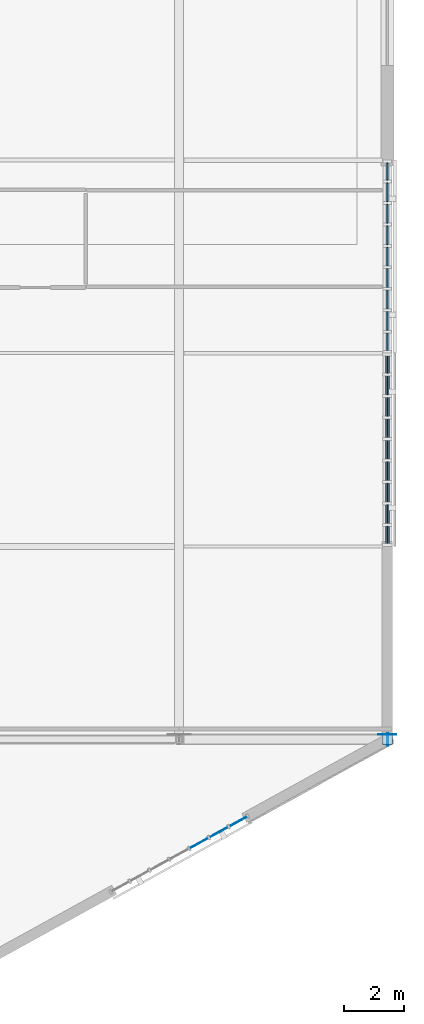
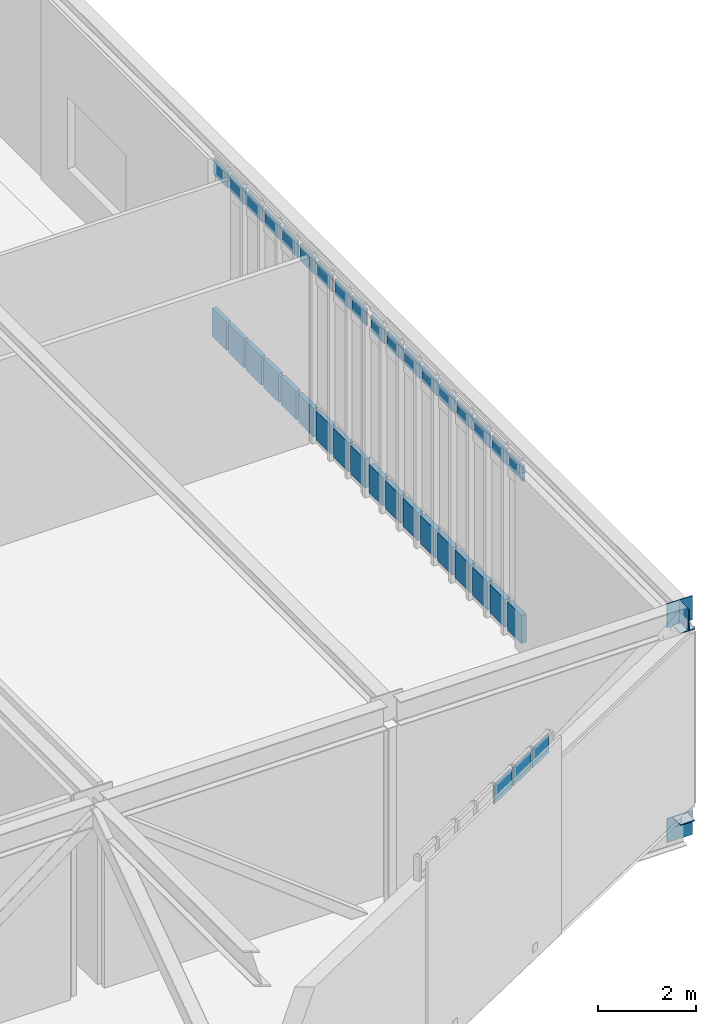
# One storey, part 107 of 135: 44 plates, 3 elements without a shape of their own.
"""IFC4 building model written with IfcOpenShell, lengths in metres."""

from ifc_helpers import new_model, si_unit, direction, frame, origin, origin_2d, place, context, subcontext, project, spatial, rectangle, extrude, material, layer, layer_set, type_object, element, aggregate, save


model = new_model("IFC4")

# Units and contexts
model_context = context("Model", 3, precision=1e-05, world=origin(), true_north=direction((0.0, 1.0)))
body_context = subcontext(model_context, "Body", "Model", "MODEL_VIEW")
ifc_project = project(units=[si_unit("LENGTHUNIT", "METRE"), si_unit("AREAUNIT", "SQUARE_METRE"), si_unit("VOLUMEUNIT", "CUBIC_METRE"), si_unit("PLANEANGLEUNIT", "RADIAN"), si_unit("MASSUNIT", "GRAM", prefix="KILO")], contexts=[model_context])

# Site, building, storey
site_placement = place(None, origin())
site = spatial("IfcSite", under=ifc_project, at=site_placement, CompositionType="ELEMENT")
building_placement = place(site_placement, origin())
building = spatial("IfcBuilding", under=site, at=building_placement, Name="Larkvane Passage Sports Hall", CompositionType="ELEMENT")
storey_placement = place(building_placement, frame((0.0, 0.0, 16.800048828125)))
storey = spatial("IfcBuildingStorey", under=building, at=storey_placement, Name="L03", CompositionType="ELEMENT", Elevation=16.800048828125)

# Curtain wall, plates
ifc_material_1 = material(Name="Thermally broken aluminium and low-E glazing", Category="aluminium")
curtain_wall_type_1 = type_object("IfcCurtainWallType", Name="CW-STICK-FOYER", PredefinedType="USERDEFINED", material=ifc_material_1)
curtain_wall_1_placement = place(storey_placement, origin())
curtain_wall_1 = element("IfcCurtainWall", 1, at=curtain_wall_1_placement, inside=storey, type_object=curtain_wall_type_1, Name="Curtain wall CW5-L03-114", ObjectType="STICK CURTAIN WALL", PredefinedType="USERDEFINED")
ifc_material_2 = material(Name="Fire-stopped shadow-box spandrel panel")
ifc_layer_1 = layer(ifc_material_2, 0.10498046875)
ifc_layer_set_1 = layer_set([ifc_layer_1], Name="Fire-stopped shadow-box spandrel panel")
plate_type_1 = type_object("IfcPlateType", Name="CWP-SPD-105", PredefinedType="CURTAIN_PANEL", material=ifc_layer_set_1)
plate_1_placement = place(storey_placement, frame((166.39990234375, 26.421875, 0.08984375), z_axis=(0.0, 0.0, 1.0), x_axis=(0.0, -1.0, 0.0)))
plate_1 = element("IfcPlate", 2, at=plate_1_placement, type_object=plate_type_1, Name="CW-03 panel 1.1", PredefinedType="CURTAIN_PANEL", context=body_context, shape_type="SweptSolid", body=[
    extrude(rectangle(XDim=0.576171875, YDim=0.10498046875, at=origin_2d()), origin(), (0.0, 0.0, 1.0), 0.715087890625),
])
plate_2_placement = place(storey_placement, frame((166.39990234375, 25.7333984375, 0.08984375), z_axis=(0.0, 0.0, 1.0), x_axis=(0.0, -1.0, 0.0)))
plate_2 = element("IfcPlate", 3, at=plate_2_placement, type_object=plate_type_1, Name="CW-03 panel 2.1", PredefinedType="CURTAIN_PANEL", context=body_context, shape_type="SweptSolid", body=[
    extrude(rectangle(XDim=0.62109375, YDim=0.10498046875, at=origin_2d()), origin(), (0.0, 0.0, 1.0), 0.715087890625),
])
plate_3_placement = place(storey_placement, frame((166.39990234375, 25.022216796875, 0.08984375), z_axis=(0.0, 0.0, 1.0), x_axis=(0.0, -1.0, 0.0)))
plate_3 = element("IfcPlate", 4, at=plate_3_placement, type_object=plate_type_1, Name="CW-03 panel 3.1", PredefinedType="CURTAIN_PANEL", context=body_context, shape_type="SweptSolid", body=[
    extrude(rectangle(XDim=0.62109375, YDim=0.10498046875, at=origin_2d()), origin(), (0.0, 0.0, 1.0), 0.715087890625),
])
plate_4_placement = place(storey_placement, frame((166.39990234375, 24.31103515625, 0.08984375), z_axis=(0.0, 0.0, 1.0), x_axis=(0.0, -1.0, 0.0)))
plate_4 = element("IfcPlate", 5, at=plate_4_placement, type_object=plate_type_1, Name="CW-03 panel 4.1", PredefinedType="CURTAIN_PANEL", context=body_context, shape_type="SweptSolid", body=[
    extrude(rectangle(XDim=0.62109375, YDim=0.10498046875, at=origin_2d()), origin(), (0.0, 0.0, 1.0), 0.715087890625),
])
plate_5_placement = place(storey_placement, frame((166.39990234375, 23.60009765625, 0.08984375), z_axis=(0.0, 0.0, 1.0), x_axis=(0.0, -1.0, 0.0)))
plate_5 = element("IfcPlate", 6, at=plate_5_placement, type_object=plate_type_1, Name="CW-03 panel 5.1", PredefinedType="CURTAIN_PANEL", context=body_context, shape_type="SweptSolid", body=[
    extrude(rectangle(XDim=0.62109375, YDim=0.10498046875, at=origin_2d()), origin(), (0.0, 0.0, 1.0), 0.715087890625),
])
plate_6_placement = place(storey_placement, frame((166.39990234375, 22.888916015625, 0.08984375), z_axis=(0.0, 0.0, 1.0), x_axis=(0.0, -1.0, 0.0)))
plate_6 = element("IfcPlate", 7, at=plate_6_placement, type_object=plate_type_1, Name="CW-03 panel 6.1", PredefinedType="CURTAIN_PANEL", context=body_context, shape_type="SweptSolid", body=[
    extrude(rectangle(XDim=0.62109375, YDim=0.10498046875, at=origin_2d()), origin(), (0.0, 0.0, 1.0), 0.715087890625),
])
plate_7_placement = place(storey_placement, frame((166.39990234375, 22.177734375, 0.08984375), z_axis=(0.0, 0.0, 1.0), x_axis=(0.0, -1.0, 0.0)))
plate_7 = element("IfcPlate", 8, at=plate_7_placement, type_object=plate_type_1, Name="CW-03 panel 7.1", PredefinedType="CURTAIN_PANEL", context=body_context, shape_type="SweptSolid", body=[
    extrude(rectangle(XDim=0.62109375, YDim=0.10498046875, at=origin_2d()), origin(), (0.0, 0.0, 1.0), 0.715087890625),
])
plate_8_placement = place(storey_placement, frame((166.39990234375, 21.466552734375, 0.08984375), z_axis=(0.0, 0.0, 1.0), x_axis=(0.0, -1.0, 0.0)))
plate_8 = element("IfcPlate", 9, at=plate_8_placement, type_object=plate_type_1, Name="CW-03 panel 8.1", PredefinedType="CURTAIN_PANEL", context=body_context, shape_type="SweptSolid", body=[
    extrude(rectangle(XDim=0.62109375, YDim=0.10498046875, at=origin_2d()), origin(), (0.0, 0.0, 1.0), 0.715087890625),
])
plate_9_placement = place(storey_placement, frame((166.39990234375, 20.778076171875, 0.08984375), z_axis=(0.0, 0.0, 1.0), x_axis=(0.0, -1.0, 0.0)))
plate_9 = element("IfcPlate", 10, at=plate_9_placement, type_object=plate_type_1, Name="CW-03 panel 9.1", PredefinedType="CURTAIN_PANEL", context=body_context, shape_type="SweptSolid", body=[
    extrude(rectangle(XDim=0.576171875, YDim=0.10498046875, at=origin_2d()), origin(), (0.0, 0.0, 1.0), 0.715087890625),
])

curtain_wall_type_2 = type_object("IfcCurtainWallType", Name="CW-CLINIC", PredefinedType="USERDEFINED", material=ifc_material_1)
curtain_wall_2_placement = place(storey_placement, origin())
curtain_wall_2 = element("IfcCurtainWall", 11, at=curtain_wall_2_placement, inside=storey, type_object=curtain_wall_type_2, Name="Curtain wall CW5-L03-115", ObjectType="UNITISED CURTAIN WALL", PredefinedType="USERDEFINED")
ifc_material_3 = material(Name="Deep insulated facade spandrel panel")
ifc_layer_2 = layer(ifc_material_3, 0.125)
ifc_layer_set_2 = layer_set([ifc_layer_2], Name="Deep insulated facade spandrel panel")
plate_type_2 = type_object("IfcPlateType", Name="CWP-SPD-125", PredefinedType="CURTAIN_PANEL", material=ifc_layer_set_2)
plate_10_placement = place(storey_placement, frame((166.39990234375, 20.01953125, 0.10009765625), z_axis=(0.0, 0.0, 1.0), x_axis=(0.0, -1.0, 0.0)))
plate_10 = element("IfcPlate", 12, at=plate_10_placement, type_object=plate_type_2, Name="CW-05 panel 1.1", PredefinedType="CURTAIN_PANEL", context=body_context, shape_type="SweptSolid", body=[
    extrude(rectangle(XDim=0.56103515625, YDim=0.125, at=origin_2d()), origin(), (0.0, 0.0, 1.0), 0.699951171875),
])
plate_11_placement = place(storey_placement, frame((166.39990234375, 19.333251953125, 0.10009765625), z_axis=(0.0, 0.0, 1.0), x_axis=(0.0, -1.0, 0.0)))
plate_11 = element("IfcPlate", 13, at=plate_11_placement, type_object=plate_type_2, Name="CW-05 panel 2.1", PredefinedType="CURTAIN_PANEL", context=body_context, shape_type="SweptSolid", body=[
    extrude(rectangle(XDim=0.611083984375, YDim=0.125, at=origin_2d()), origin(), (0.0, 0.0, 1.0), 0.699951171875),
])
plate_12_placement = place(storey_placement, frame((166.39990234375, 18.622314453125, 0.10009765625), z_axis=(0.0, 0.0, 1.0), x_axis=(0.0, -1.0, 0.0)))
plate_12 = element("IfcPlate", 14, at=plate_12_placement, type_object=plate_type_2, Name="CW-05 panel 3.1", PredefinedType="CURTAIN_PANEL", context=body_context, shape_type="SweptSolid", body=[
    extrude(rectangle(XDim=0.611083984375, YDim=0.125, at=origin_2d()), origin(), (0.0, 0.0, 1.0), 0.699951171875),
])
plate_13_placement = place(storey_placement, frame((166.39990234375, 17.9111328125, 0.10009765625), z_axis=(0.0, 0.0, 1.0), x_axis=(0.0, -1.0, 0.0)))
plate_13 = element("IfcPlate", 15, at=plate_13_placement, type_object=plate_type_2, Name="CW-05 panel 4.1", PredefinedType="CURTAIN_PANEL", context=body_context, shape_type="SweptSolid", body=[
    extrude(rectangle(XDim=0.611083984375, YDim=0.125, at=origin_2d()), origin(), (0.0, 0.0, 1.0), 0.699951171875),
])
plate_14_placement = place(storey_placement, frame((166.39990234375, 17.199951171875, 0.10009765625), z_axis=(0.0, 0.0, 1.0), x_axis=(0.0, -1.0, 0.0)))
plate_14 = element("IfcPlate", 16, at=plate_14_placement, type_object=plate_type_2, Name="CW-05 panel 5.1", PredefinedType="CURTAIN_PANEL", context=body_context, shape_type="SweptSolid", body=[
    extrude(rectangle(XDim=0.611083984375, YDim=0.125, at=origin_2d()), origin(), (0.0, 0.0, 1.0), 0.699951171875),
])
plate_15_placement = place(storey_placement, frame((166.39990234375, 16.48876953125, 0.10009765625), z_axis=(0.0, 0.0, 1.0), x_axis=(0.0, -1.0, 0.0)))
plate_15 = element("IfcPlate", 17, at=plate_15_placement, type_object=plate_type_2, Name="CW-05 panel 6.1", PredefinedType="CURTAIN_PANEL", context=body_context, shape_type="SweptSolid", body=[
    extrude(rectangle(XDim=0.611083984375, YDim=0.125, at=origin_2d()), origin(), (0.0, 0.0, 1.0), 0.699951171875),
])
plate_16_placement = place(storey_placement, frame((166.39990234375, 15.77783203125, 0.10009765625), z_axis=(0.0, 0.0, 1.0), x_axis=(0.0, -1.0, 0.0)))
plate_16 = element("IfcPlate", 18, at=plate_16_placement, type_object=plate_type_2, Name="CW-05 panel 7.1", PredefinedType="CURTAIN_PANEL", context=body_context, shape_type="SweptSolid", body=[
    extrude(rectangle(XDim=0.611083984375, YDim=0.125, at=origin_2d()), origin(), (0.0, 0.0, 1.0), 0.699951171875),
])
plate_17_placement = place(storey_placement, frame((166.39990234375, 15.066650390625, 0.10009765625), z_axis=(0.0, 0.0, 1.0), x_axis=(0.0, -1.0, 0.0)))
plate_17 = element("IfcPlate", 19, at=plate_17_placement, type_object=plate_type_2, Name="CW-05 panel 8.1", PredefinedType="CURTAIN_PANEL", context=body_context, shape_type="SweptSolid", body=[
    extrude(rectangle(XDim=0.611083984375, YDim=0.125, at=origin_2d()), origin(), (0.0, 0.0, 1.0), 0.699951171875),
])
plate_18_placement = place(storey_placement, frame((166.39990234375, 14.380615234375, 0.10009765625), z_axis=(0.0, 0.0, 1.0), x_axis=(0.0, -1.0, 0.0)))
plate_18 = element("IfcPlate", 20, at=plate_18_placement, type_object=plate_type_2, Name="CW-05 panel 9.1", PredefinedType="CURTAIN_PANEL", context=body_context, shape_type="SweptSolid", body=[
    extrude(rectangle(XDim=0.56103515625, YDim=0.125, at=origin_2d()), origin(), (0.0, 0.0, 1.0), 0.699951171875),
])

curtain_wall_type_3 = type_object("IfcCurtainWallType", Name="CW-UNIT-COURT", PredefinedType="USERDEFINED", material=ifc_material_1)
curtain_wall_3_placement = place(storey_placement, origin())
curtain_wall_3 = element("IfcCurtainWall", 21, at=curtain_wall_3_placement, inside=storey, type_object=curtain_wall_type_3, Name="Curtain wall CW5-L03-116", ObjectType="UNITISED CURTAIN WALL", PredefinedType="USERDEFINED")
ifc_material_4 = material(Name="Solar-control low-E double glazing", Category="glass")
ifc_layer_3 = layer(ifc_material_4, 0.028076171875)
ifc_layer_set_3 = layer_set([ifc_layer_3], Name="Solar-control low-E double glazing")
plate_type_3 = type_object("IfcPlateType", Name="CWP-VIS-28", PredefinedType="CURTAIN_PANEL", material=ifc_layer_set_3)
plate_19_placement = place(storey_placement, frame((161.458251953125, 4.87841796875, 4.510009765625), z_axis=(0.0, 0.0, 1.0), x_axis=(-0.875942378343, -0.482415743754, 0.0)))
plate_19 = element("IfcPlate", 22, at=plate_19_placement, type_object=plate_type_3, Name="CW-01 panel 1.3", PredefinedType="CURTAIN_PANEL", context=body_context, shape_type="SweptSolid", body=[
    extrude(rectangle(XDim=0.66015625, YDim=0.028076171875, at=origin_2d()), origin(), (0.0, 0.0, 1.0), 0.4599609375),
])
plate_20_placement = place(storey_placement, frame((160.814208984375, 4.52392578125, 4.510009765625), z_axis=(0.0, 0.0, 1.0), x_axis=(-0.875942378343, -0.482415743754, 0.0)))
plate_20 = element("IfcPlate", 23, at=plate_20_placement, type_object=plate_type_3, Name="CW-01 panel 2.3", PredefinedType="CURTAIN_PANEL", context=body_context, shape_type="SweptSolid", body=[
    extrude(rectangle(XDim=0.690185546875, YDim=0.028076171875, at=origin_2d()), origin(), (0.0, 0.0, 1.0), 0.4599609375),
])
plate_21_placement = place(storey_placement, frame((160.1572265625, 4.161865234375, 4.510009765625), z_axis=(0.0, 0.0, 1.0), x_axis=(-0.875942378343, -0.482415743754, 0.0)))
plate_21 = element("IfcPlate", 24, at=plate_21_placement, type_object=plate_type_3, Name="CW-01 panel 3.3", PredefinedType="CURTAIN_PANEL", context=body_context, shape_type="SweptSolid", body=[
    extrude(rectangle(XDim=0.690185546875, YDim=0.028076171875, at=origin_2d()), origin(), (0.0, 0.0, 1.0), 0.4599609375),
])
aggregate(curtain_wall_3, [plate_19, plate_20, plate_21])

# Plate
ifc_material_5 = material(Name="High-impact court low-E glazing", Category="glass")
ifc_layer_4 = layer(ifc_material_5, 0.035888671875)
ifc_layer_set_4 = layer_set([ifc_layer_4], Name="High-impact court low-E glazing")
plate_type_4 = type_object("IfcPlateType", Name="CWP-VIS-36", PredefinedType="CURTAIN_PANEL", material=ifc_layer_set_4)
plate_22_placement = place(storey_placement, frame((166.39990234375, 26.421875, 4.113037109375), z_axis=(0.0, 0.0, 1.0), x_axis=(0.0, -1.0, 0.0)))
plate_22 = element("IfcPlate", 25, at=plate_22_placement, type_object=plate_type_4, Name="CW-03 panel 1.3", PredefinedType="CURTAIN_PANEL", context=body_context, shape_type="SweptSolid", body=[
    extrude(rectangle(XDim=0.576171875, YDim=0.035888671875, at=origin_2d()), origin(), (0.0, 0.0, 1.0), 0.4150390625),
])

plate_23_placement = place(storey_placement, frame((166.39990234375, 25.7333984375, 4.113037109375), z_axis=(0.0, 0.0, 1.0), x_axis=(0.0, -1.0, 0.0)))
plate_23 = element("IfcPlate", 26, at=plate_23_placement, type_object=plate_type_4, Name="CW-03 panel 2.3", PredefinedType="CURTAIN_PANEL", context=body_context, shape_type="SweptSolid", body=[
    extrude(rectangle(XDim=0.62109375, YDim=0.035888671875, at=origin_2d()), origin(), (0.0, 0.0, 1.0), 0.4150390625),
])

plate_24_placement = place(storey_placement, frame((166.39990234375, 25.022216796875, 4.113037109375), z_axis=(0.0, 0.0, 1.0), x_axis=(0.0, -1.0, 0.0)))
plate_24 = element("IfcPlate", 27, at=plate_24_placement, type_object=plate_type_4, Name="CW-03 panel 3.3", PredefinedType="CURTAIN_PANEL", context=body_context, shape_type="SweptSolid", body=[
    extrude(rectangle(XDim=0.62109375, YDim=0.035888671875, at=origin_2d()), origin(), (0.0, 0.0, 1.0), 0.4150390625),
])

plate_25_placement = place(storey_placement, frame((166.39990234375, 24.31103515625, 4.113037109375), z_axis=(0.0, 0.0, 1.0), x_axis=(0.0, -1.0, 0.0)))
plate_25 = element("IfcPlate", 28, at=plate_25_placement, type_object=plate_type_4, Name="CW-03 panel 4.3", PredefinedType="CURTAIN_PANEL", context=body_context, shape_type="SweptSolid", body=[
    extrude(rectangle(XDim=0.62109375, YDim=0.035888671875, at=origin_2d()), origin(), (0.0, 0.0, 1.0), 0.4150390625),
])

plate_26_placement = place(storey_placement, frame((166.39990234375, 23.60009765625, 4.113037109375), z_axis=(0.0, 0.0, 1.0), x_axis=(0.0, -1.0, 0.0)))
plate_26 = element("IfcPlate", 29, at=plate_26_placement, type_object=plate_type_4, Name="CW-03 panel 5.3", PredefinedType="CURTAIN_PANEL", context=body_context, shape_type="SweptSolid", body=[
    extrude(rectangle(XDim=0.62109375, YDim=0.035888671875, at=origin_2d()), origin(), (0.0, 0.0, 1.0), 0.4150390625),
])

plate_27_placement = place(storey_placement, frame((166.39990234375, 22.888916015625, 4.113037109375), z_axis=(0.0, 0.0, 1.0), x_axis=(0.0, -1.0, 0.0)))
plate_27 = element("IfcPlate", 30, at=plate_27_placement, type_object=plate_type_4, Name="CW-03 panel 6.3", PredefinedType="CURTAIN_PANEL", context=body_context, shape_type="SweptSolid", body=[
    extrude(rectangle(XDim=0.62109375, YDim=0.035888671875, at=origin_2d()), origin(), (0.0, 0.0, 1.0), 0.4150390625),
])

plate_28_placement = place(storey_placement, frame((166.39990234375, 22.177734375, 4.113037109375), z_axis=(0.0, 0.0, 1.0), x_axis=(0.0, -1.0, 0.0)))
plate_28 = element("IfcPlate", 31, at=plate_28_placement, type_object=plate_type_4, Name="CW-03 panel 7.3", PredefinedType="CURTAIN_PANEL", context=body_context, shape_type="SweptSolid", body=[
    extrude(rectangle(XDim=0.62109375, YDim=0.035888671875, at=origin_2d()), origin(), (0.0, 0.0, 1.0), 0.4150390625),
])

plate_29_placement = place(storey_placement, frame((166.39990234375, 21.466552734375, 4.113037109375), z_axis=(0.0, 0.0, 1.0), x_axis=(0.0, -1.0, 0.0)))
plate_29 = element("IfcPlate", 32, at=plate_29_placement, type_object=plate_type_4, Name="CW-03 panel 8.3", PredefinedType="CURTAIN_PANEL", context=body_context, shape_type="SweptSolid", body=[
    extrude(rectangle(XDim=0.62109375, YDim=0.035888671875, at=origin_2d()), origin(), (0.0, 0.0, 1.0), 0.4150390625),
])

plate_30_placement = place(storey_placement, frame((166.39990234375, 20.778076171875, 4.113037109375), z_axis=(0.0, 0.0, 1.0), x_axis=(0.0, -1.0, 0.0)))
plate_30 = element("IfcPlate", 33, at=plate_30_placement, type_object=plate_type_4, Name="CW-03 panel 9.3", PredefinedType="CURTAIN_PANEL", context=body_context, shape_type="SweptSolid", body=[
    extrude(rectangle(XDim=0.576171875, YDim=0.035888671875, at=origin_2d()), origin(), (0.0, 0.0, 1.0), 0.4150390625),
])

aggregate(curtain_wall_1, [plate_1, plate_22, plate_2, plate_23, plate_3, plate_24, plate_4, plate_25, plate_5, plate_26, plate_6, plate_27, plate_7, plate_28, plate_8, plate_29, plate_9, plate_30])

ifc_material_6 = material(Name="Triple-laminated typhoon glazing", Category="glass")
ifc_layer_5 = layer(ifc_material_6, 0.0419921875)
ifc_layer_set_5 = layer_set([ifc_layer_5], Name="Triple-laminated typhoon glazing")
plate_type_5 = type_object("IfcPlateType", Name="CWP-VIS-42", PredefinedType="CURTAIN_PANEL", material=ifc_layer_set_5)
plate_31_placement = place(storey_placement, frame((166.39990234375, 20.01953125, 4.117919921875), z_axis=(0.0, 0.0, 1.0), x_axis=(0.0, -1.0, 0.0)))
plate_31 = element("IfcPlate", 34, at=plate_31_placement, type_object=plate_type_5, Name="CW-05 panel 1.3", PredefinedType="CURTAIN_PANEL", context=body_context, shape_type="SweptSolid", body=[
    extrude(rectangle(XDim=0.56103515625, YDim=0.0419921875, at=origin_2d()), origin(), (0.0, 0.0, 1.0), 0.39990234375),
])

plate_32_placement = place(storey_placement, frame((166.39990234375, 19.333251953125, 4.117919921875), z_axis=(0.0, 0.0, 1.0), x_axis=(0.0, -1.0, 0.0)))
plate_32 = element("IfcPlate", 35, at=plate_32_placement, type_object=plate_type_5, Name="CW-05 panel 2.3", PredefinedType="CURTAIN_PANEL", context=body_context, shape_type="SweptSolid", body=[
    extrude(rectangle(XDim=0.611083984375, YDim=0.0419921875, at=origin_2d()), origin(), (0.0, 0.0, 1.0), 0.39990234375),
])

plate_33_placement = place(storey_placement, frame((166.39990234375, 18.622314453125, 4.117919921875), z_axis=(0.0, 0.0, 1.0), x_axis=(0.0, -1.0, 0.0)))
plate_33 = element("IfcPlate", 36, at=plate_33_placement, type_object=plate_type_5, Name="CW-05 panel 3.3", PredefinedType="CURTAIN_PANEL", context=body_context, shape_type="SweptSolid", body=[
    extrude(rectangle(XDim=0.611083984375, YDim=0.0419921875, at=origin_2d()), origin(), (0.0, 0.0, 1.0), 0.39990234375),
])

plate_34_placement = place(storey_placement, frame((166.39990234375, 17.9111328125, 4.117919921875), z_axis=(0.0, 0.0, 1.0), x_axis=(0.0, -1.0, 0.0)))
plate_34 = element("IfcPlate", 37, at=plate_34_placement, type_object=plate_type_5, Name="CW-05 panel 4.3", PredefinedType="CURTAIN_PANEL", context=body_context, shape_type="SweptSolid", body=[
    extrude(rectangle(XDim=0.611083984375, YDim=0.0419921875, at=origin_2d()), origin(), (0.0, 0.0, 1.0), 0.39990234375),
])

plate_35_placement = place(storey_placement, frame((166.39990234375, 17.199951171875, 4.117919921875), z_axis=(0.0, 0.0, 1.0), x_axis=(0.0, -1.0, 0.0)))
plate_35 = element("IfcPlate", 38, at=plate_35_placement, type_object=plate_type_5, Name="CW-05 panel 5.3", PredefinedType="CURTAIN_PANEL", context=body_context, shape_type="SweptSolid", body=[
    extrude(rectangle(XDim=0.611083984375, YDim=0.0419921875, at=origin_2d()), origin(), (0.0, 0.0, 1.0), 0.39990234375),
])

plate_36_placement = place(storey_placement, frame((166.39990234375, 16.48876953125, 4.117919921875), z_axis=(0.0, 0.0, 1.0), x_axis=(0.0, -1.0, 0.0)))
plate_36 = element("IfcPlate", 39, at=plate_36_placement, type_object=plate_type_5, Name="CW-05 panel 6.3", PredefinedType="CURTAIN_PANEL", context=body_context, shape_type="SweptSolid", body=[
    extrude(rectangle(XDim=0.611083984375, YDim=0.0419921875, at=origin_2d()), origin(), (0.0, 0.0, 1.0), 0.39990234375),
])

plate_37_placement = place(storey_placement, frame((166.39990234375, 15.77783203125, 4.117919921875), z_axis=(0.0, 0.0, 1.0), x_axis=(0.0, -1.0, 0.0)))
plate_37 = element("IfcPlate", 40, at=plate_37_placement, type_object=plate_type_5, Name="CW-05 panel 7.3", PredefinedType="CURTAIN_PANEL", context=body_context, shape_type="SweptSolid", body=[
    extrude(rectangle(XDim=0.611083984375, YDim=0.0419921875, at=origin_2d()), origin(), (0.0, 0.0, 1.0), 0.39990234375),
])

plate_38_placement = place(storey_placement, frame((166.39990234375, 15.066650390625, 4.117919921875), z_axis=(0.0, 0.0, 1.0), x_axis=(0.0, -1.0, 0.0)))
plate_38 = element("IfcPlate", 41, at=plate_38_placement, type_object=plate_type_5, Name="CW-05 panel 8.3", PredefinedType="CURTAIN_PANEL", context=body_context, shape_type="SweptSolid", body=[
    extrude(rectangle(XDim=0.611083984375, YDim=0.0419921875, at=origin_2d()), origin(), (0.0, 0.0, 1.0), 0.39990234375),
])

plate_39_placement = place(storey_placement, frame((166.39990234375, 14.380615234375, 4.117919921875), z_axis=(0.0, 0.0, 1.0), x_axis=(0.0, -1.0, 0.0)))
plate_39 = element("IfcPlate", 42, at=plate_39_placement, type_object=plate_type_5, Name="CW-05 panel 9.3", PredefinedType="CURTAIN_PANEL", context=body_context, shape_type="SweptSolid", body=[
    extrude(rectangle(XDim=0.56103515625, YDim=0.0419921875, at=origin_2d()), origin(), (0.0, 0.0, 1.0), 0.39990234375),
])

aggregate(curtain_wall_2, [plate_10, plate_31, plate_11, plate_32, plate_12, plate_33, plate_13, plate_34, plate_14, plate_35, plate_15, plate_36, plate_16, plate_37, plate_17, plate_38, plate_18, plate_39])

# Plates
ifc_material_7 = material(Name="Steel S460N", Category="steel")
ifc_layer_6 = layer(ifc_material_7, 0.02001953125)
ifc_layer_set_6 = layer_set([ifc_layer_6], Name="Steel S460N")
plate_type_6 = type_object("IfcPlateType", Name="PLT-CAP-20", PredefinedType="SHEET", material=ifc_layer_set_6)
plate_40_placement = place(storey_placement, frame((166.407958984375, 7.60009765625, 4.48046875), z_axis=(0.0, 0.0, 1.0), x_axis=(0.0, 1.0, 0.0)))
element("IfcPlate", 43, at=plate_40_placement, inside=storey, type_object=plate_type_6, Name="Hollow section sealed end cap plate 0182", PredefinedType="SHEET", context=body_context, shape_type="SweptSolid", body=[
    extrude(rectangle(XDim=0.409912109375, YDim=0.028076171875, at=origin_2d()), origin(), (0.0, 0.0, 1.0), 0.5029296875),
])
for number, where, z_axis, x_axis, name in (
    (44, (166.39990234375, 7.60009765625, -0.340087890625), (0.0, 0.0, 1.0), (1.0, 0.0, 0.0), "Hollow section sealed end cap plate 0185"),
    (45, (166.39990234375, 7.60009765625, 4.431884765625), (0.0, 0.0, 1.0), (1.0, 0.0, 0.0), "Hollow section sealed end cap plate 0186"),
):
    element("IfcPlate", number, at=place(storey_placement, frame(where, z_axis=z_axis, x_axis=x_axis)), inside=storey, type_object=plate_type_6, Name=name, PredefinedType="SHEET", context=body_context, shape_type="SweptSolid", body=[
        extrude(rectangle(XDim=0.340087890625, YDim=0.340087890625, at=origin_2d()), origin(), (0.0, 0.0, 1.0), 0.02001953125),
    ])
ifc_layer_7 = layer(ifc_material_7, 0.01611328125)
ifc_layer_set_7 = layer_set([ifc_layer_7], Name="Steel S460N")
plate_type_7 = type_object("IfcPlateType", Name="PLT-GUS-16", PredefinedType="USERDEFINED", material=ifc_layer_set_7)
for number, where, z_axis, x_axis, name in (
    (46, (166.39990234375, 7.758056640625, -0.9140625), (0.0, 0.0, 1.0), (1.0, 0.0, 0.0), "Truss node gusset plate ND-6B (CT-E3A-1)"),
    (47, (166.39990234375, 7.758056640625, 4.42578125), (0.0, 0.0, 1.0), (1.0, 0.0, 0.0), "Truss node gusset plate ND-6T (CT-E3A-1)"),
):
    element("IfcPlate", number, at=place(storey_placement, frame(where, z_axis=z_axis, x_axis=x_axis)), inside=storey, type_object=plate_type_7, Name=name, ObjectType="GUSSET PLATE", PredefinedType="USERDEFINED", context=body_context, shape_type="SweptSolid", body=[
        extrude(rectangle(XDim=0.60009765625, YDim=0.01611328125, at=origin_2d()), origin(), (0.0, 0.0, 1.0), 0.60009765625),
    ])

save(model, "model.ifc")
